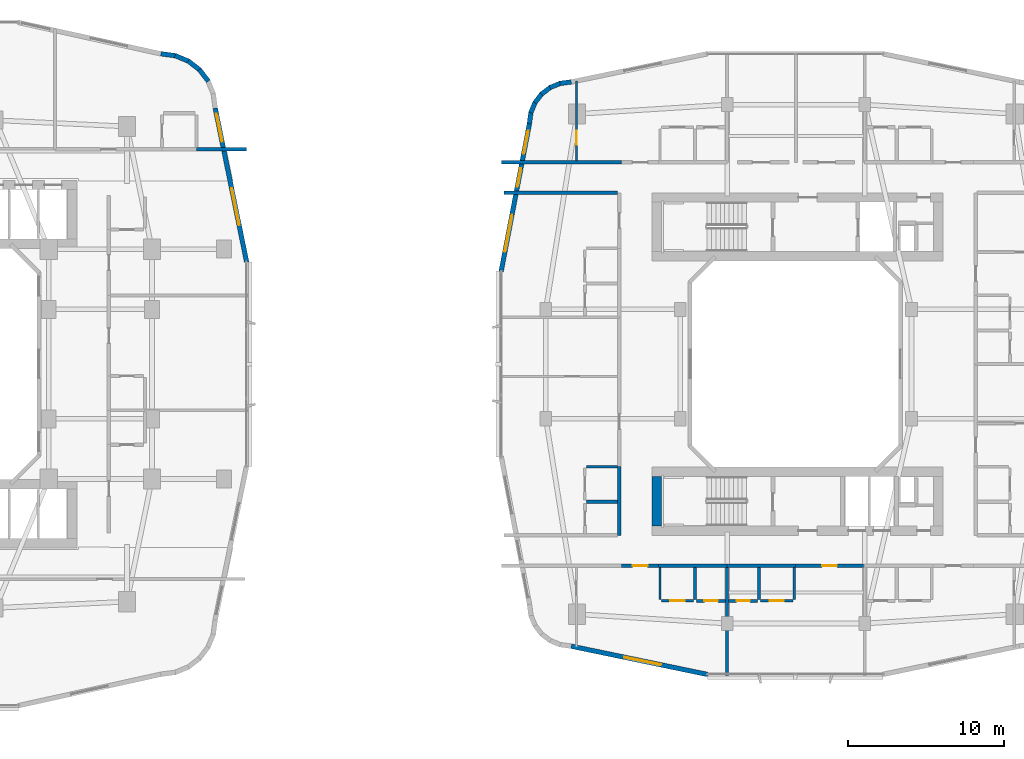
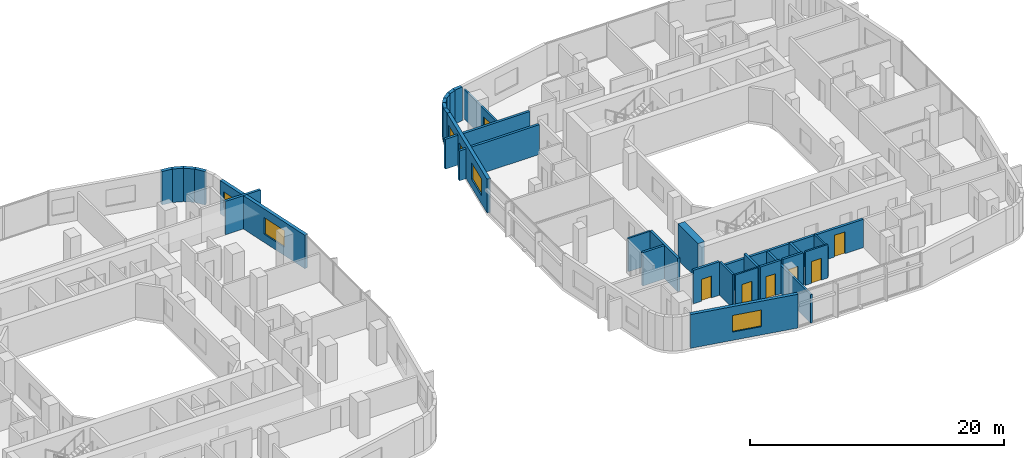
# One storey, part 17 of 26: 34 walls, 7 doors, 6 windows, 13 openings.
"""IFC4 building model written with IfcOpenShell, lengths in metres."""

import ifcopenshell
import ifcopenshell.guid

model = None  # the IFC model being written
_history = None  # IfcOwnerHistory: only IFC2X3 demands one
_inside = {}  # id of a spatial element -> (the spatial element, [elements in it])
_under = {}  # id of a project, library or spatial element -> (it, [spatial elements below it])
_declared = {}  # id of a project -> (the project, [libraries it declares])
_typed = {}  # id of a type object -> (the type object, [elements of that type])
_made_of = {}  # id of a material, layer set ... -> (it, [elements and type objects made of it])


def new_model(schema):
    """Start an empty IFC model of exactly this schema.

    Asked for "IFC4X3", IfcOpenShell would pick the latest addendum, in which some entities
    have other attributes; the version numbers below select the first issue.
    IFC2X3 requires an IfcOwnerHistory on every rooted entity: one is made here for all.
    """
    global model, _history
    if schema == "IFC4X3":
        model = ifcopenshell.file(schema_version=(4, 3, 0, 0))
    else:
        model = ifcopenshell.file(schema=schema)
    _inside.clear()
    _under.clear()
    _declared.clear()
    _typed.clear()
    _made_of.clear()
    _history = None
    if model.schema == "IFC2X3":
        org = make("IfcOrganization", Name="unknown")
        user = make(
            "IfcPersonAndOrganization",
            ThePerson=make("IfcPerson", FamilyName="unknown"),
            TheOrganization=org,
        )
        app = make(
            "IfcApplication",
            ApplicationDeveloper=org,
            Version="unknown",
            ApplicationFullName="unknown",
            ApplicationIdentifier="unknown",
        )
        _history = make(
            "IfcOwnerHistory",
            OwningUser=user,
            OwningApplication=app,
            ChangeAction="ADDED",
            CreationDate=0,
        )
    return model


def make(cls, **values):
    """One entity of the class cls with the attributes given. An attribute that is None is left unset."""
    return model.create_entity(
        cls, **{name: value for name, value in values.items() if value is not None}
    )


def rooted(cls, **values):
    """An entity with a GlobalId (a new one), such as an element, a storey or a relation."""
    return make(cls, GlobalId=ifcopenshell.guid.new(), OwnerHistory=_history, **values)


def si_unit(unit_type, name, prefix=None):
    """IfcSIUnit, for example si_unit("LENGTHUNIT", "METRE", prefix="MILLI")."""
    return make("IfcSIUnit", UnitType=unit_type, Prefix=prefix, Name=name)


def derived_unit(unit_type, elements):
    """IfcDerivedUnit: a product of units, each with its exponent."""
    return make(
        "IfcDerivedUnit",
        Elements=[
            make("IfcDerivedUnitElement", Unit=unit, Exponent=power)
            for unit, power in elements
        ],
        UnitType=unit_type,
    )


def assignment(units):
    """IfcUnitAssignment: the units of a project."""
    return None if units is None else make("IfcUnitAssignment", Units=units)


def point(xyz):
    """IfcCartesianPoint."""
    return None if xyz is None else make("IfcCartesianPoint", Coordinates=xyz)


def direction(xyz):
    """IfcDirection."""
    return None if xyz is None else make("IfcDirection", DirectionRatios=xyz)


def frame(location, z_axis=None, x_axis=None):
    """IfcAxis2Placement3D, a coordinate frame: its origin and axes. An axis left out is left unset."""
    return make(
        "IfcAxis2Placement3D",
        Location=point(location),
        Axis=direction(z_axis),
        RefDirection=direction(x_axis),
    )


def frame_2d(location, x_axis=None):
    """IfcAxis2Placement2D, a coordinate frame in the plane: its origin and x axis."""
    return make(
        "IfcAxis2Placement2D", Location=point(location), RefDirection=direction(x_axis)
    )


def origin():
    """The frame at (0, 0, 0) with its axes left unset."""
    return frame((0.0, 0.0, 0.0))


def place(relative_to, where):
    """IfcLocalPlacement: puts the frame where relative to a parent placement (None: the world)."""
    return make(
        "IfcLocalPlacement", PlacementRelTo=relative_to, RelativePlacement=where
    )


def context(
    kind, dimensions, precision=None, world=None, true_north=None, identifier=None
):
    """IfcGeometricRepresentationContext, for example the 3D "Model" context."""
    return make(
        "IfcGeometricRepresentationContext",
        ContextIdentifier=identifier,
        ContextType=kind,
        CoordinateSpaceDimension=dimensions,
        Precision=precision,
        WorldCoordinateSystem=world,
        TrueNorth=true_north,
    )


def subcontext(parent, identifier, kind, view, scale=None):
    """IfcGeometricRepresentationSubContext, for example "Body" below "Model"."""
    return make(
        "IfcGeometricRepresentationSubContext",
        ContextIdentifier=identifier,
        ContextType=kind,
        ParentContext=parent,
        TargetScale=scale,
        TargetView=view,
    )


def project(units=None, contexts=None):
    """IfcProject with its units and contexts."""
    return rooted(
        "IfcProject",
        Name="project",
        RepresentationContexts=contexts,
        UnitsInContext=assignment(units),
    )


def spatial(cls, under=None, at=None, **own):
    """A site, building, storey or space (cls), placed at a placement, below another one or the project."""
    s = rooted(cls, ObjectPlacement=at, **own)
    if under is not None:
        _under.setdefault(under.id(), (under, []))[1].append(s)
    return s


def profile(cls, at=None, kind="AREA", **sizes):
    """A parametric profile (cls). Its sizes go by their IFC names, for example OverallWidth=200.0."""
    return make(cls, ProfileType=kind, Position=at, **sizes)


def rectangle(**sizes):
    """IfcRectangleProfileDef."""
    return profile("IfcRectangleProfileDef", **sizes)


def extrude(swept, where, along, depth):
    """IfcExtrudedAreaSolid: the profile swept, set in the frame where, extruded along a direction by depth."""
    return make(
        "IfcExtrudedAreaSolid",
        SweptArea=swept,
        Position=where,
        ExtrudedDirection=direction(along),
        Depth=depth,
    )


def shape(context_of_items, identifier, shape_type, items):
    """IfcShapeRepresentation: the items that make up one representation, for example the "Body"."""
    return make(
        "IfcShapeRepresentation",
        ContextOfItems=context_of_items,
        RepresentationIdentifier=identifier,
        RepresentationType=shape_type,
        Items=items,
    )


def material(Name=None, Category=None):
    """IfcMaterial."""
    return make("IfcMaterial", Name=Name, Category=Category)


def layer(
    of_material, thickness, ventilated=None, Name=None, Category=None, Priority=None
):
    """IfcMaterialLayer: one layer of a wall or slab, of a material (None: an air gap)."""
    return make(
        "IfcMaterialLayer",
        Material=of_material,
        LayerThickness=thickness,
        IsVentilated=ventilated,
        Name=Name,
        Category=Category,
        Priority=Priority,
    )


def layer_set(layers, Name=None):
    """IfcMaterialLayerSet."""
    return make("IfcMaterialLayerSet", MaterialLayers=layers, LayerSetName=Name)


def made_of(thing, what):
    """Note that an element or type object is made of a material, layer set ...; save() writes the relation."""
    if what is not None:
        _made_of.setdefault(what.id(), (what, []))[1].append(thing)
    return thing


def type_object(cls, material=None, **own):
    """A type object (cls), such as IfcWallType, which elements share."""
    return made_of(rooted(cls, **own), material)


def element(
    cls,
    number,
    at=None,
    inside=None,
    cuts=None,
    type_object=None,
    material=None,
    context=None,
    identifier="Body",
    shape_type=None,
    held_by="IfcProductDefinitionShape",
    body=None,
    shapes=None,
    **own,
):
    """One element of the class cls, such as IfcWall. Its Tag is "e" and its number.

    at: its placement. inside: the storey or other place that contains it. cuts: it is an
    opening in that element (IfcRelVoidsElement). A single representation is given by context,
    identifier, shape_type and body (its items); several are given by shapes. held_by: the class
    of the entity that holds the representations. save() writes the other relations.
    """
    e = rooted(cls, Tag="e%d" % number, ObjectPlacement=at, **own)
    if body is not None:
        shapes = [shape(context, identifier, shape_type, body)]
    if shapes is not None:
        e.Representation = make(held_by, Representations=shapes)
    if inside is not None:
        _inside.setdefault(inside.id(), (inside, []))[1].append(e)
    if cuts is not None:
        rooted(
            "IfcRelVoidsElement", RelatingBuildingElement=cuts, RelatedOpeningElement=e
        )
    if type_object is not None:
        _typed.setdefault(type_object.id(), (type_object, []))[1].append(e)
    return made_of(e, material)


def fill(opening, filler):
    """IfcRelFillsElement: the door or window that sits in an opening."""
    return rooted(
        "IfcRelFillsElement",
        RelatingOpeningElement=opening,
        RelatedBuildingElement=filler,
    )


def aggregate(whole, parts):
    """IfcRelAggregates: a whole, such as a stair, and the parts it consists of."""
    return rooted("IfcRelAggregates", RelatingObject=whole, RelatedObjects=parts)


def save(model, path):
    """Write the relations noted so far, then the file.

    IfcRelAggregates (storeys below a building ...), IfcRelContainedInSpatialStructure (elements
    in a storey), IfcRelDefinesByType, IfcRelAssociatesMaterial and IfcRelDeclares: one each for
    every whole, place, type object, material and project.
    """
    for whole, parts in _under.values():
        aggregate(whole, parts)
    for where, things in _inside.values():
        rooted(
            "IfcRelContainedInSpatialStructure",
            RelatedElements=things,
            RelatingStructure=where,
        )
    for kind, things in _typed.values():
        rooted("IfcRelDefinesByType", RelatedObjects=things, RelatingType=kind)
    for what, things in _made_of.values():
        rooted("IfcRelAssociatesMaterial", RelatedObjects=things, RelatingMaterial=what)
    for by, libraries in _declared.values():
        rooted("IfcRelDeclares", RelatingContext=by, RelatedDefinitions=libraries)
    model.write(path)


model = new_model("IFC4")

# Units and contexts
model_context = context("Model", 3, precision=1e-05, world=origin(), true_north=direction((0.0, 1.0)))
body_context = subcontext(model_context, "Body", "Model", "MODEL_VIEW")
ifc_project = project(units=[si_unit("LENGTHUNIT", "METRE"), si_unit("AREAUNIT", "SQUARE_METRE"), si_unit("VOLUMEUNIT", "CUBIC_METRE"), si_unit("PLANEANGLEUNIT", "RADIAN"), si_unit("MASSUNIT", "GRAM", prefix="KILO"), derived_unit("THERMALTRANSMITTANCEUNIT", [(si_unit("POWERUNIT", "WATT"), 1), (si_unit("LENGTHUNIT", "METRE"), -2), (si_unit("THERMODYNAMICTEMPERATUREUNIT", "KELVIN"), -1)])], contexts=[model_context])

# Site, building, storey
site_placement = place(None, origin())
site = spatial("IfcSite", under=ifc_project, at=site_placement, CompositionType="ELEMENT")
building_placement = place(site_placement, origin())
building = spatial("IfcBuilding", under=site, at=building_placement, Name="Kivonza Crest Hotel", CompositionType="ELEMENT")
storey_placement = place(building_placement, frame((0.0, 0.0, 55.5)))
storey = spatial("IfcBuildingStorey", under=building, at=storey_placement, Name="L14", CompositionType="ELEMENT", Elevation=55.5)

# Walls
ifc_material_1 = material(Name="High-density acoustic masonry inter-tenancy wall", Category="masonry")
ifc_layer_1 = layer(ifc_material_1, 0.179931640625)
ifc_layer_set_1 = layer_set([ifc_layer_1], Name="High-density acoustic masonry inter-tenancy wall")
wall_type_1 = type_object("IfcWallType", Name="WL-ACOU-180", PredefinedType="SOLIDWALL", material=ifc_layer_set_1)
wall_1_placement = place(storey_placement, frame((72.60009765625, 5.06005859375, 0.0), z_axis=(0.0, 0.0, 1.0), x_axis=(0.0, 1.0, 0.0)))
element("IfcWall", 1, at=wall_1_placement, inside=storey, type_object=wall_type_1, Name="L14 interior partition WA-L14-T2S-DIV1", PredefinedType="SOLIDWALL", context=body_context, shape_type="SweptSolid", body=[
    extrude(rectangle(XDim=7.0400390625, YDim=0.179931640625, at=frame_2d((3.52001953125, 0.0))), origin(), (0.0, 0.0, 1.0), 2.72509765625),
])
ifc_material_2 = material(Name="Autoclaved aerated concrete blockwork", Category="masonry")
ifc_layer_2 = layer(ifc_material_2, 0.219970703125)
ifc_layer_set_2 = layer_set([ifc_layer_2], Name="Autoclaved aerated concrete blockwork")
wall_type_2 = type_object("IfcWallType", Name="WL-ACOU-220", PredefinedType="SOLIDWALL", material=ifc_layer_set_2)
wall_2_placement = place(storey_placement, frame((38.64990234375, 38.75, 0.0), z_axis=(0.0, 0.0, 1.0), x_axis=(1.0, 0.0, 0.0)))
element("IfcWall", 2, at=wall_2_placement, inside=storey, type_object=wall_type_2, Name="L14 interior partition WA-L14-N02-XCORR", PredefinedType="SOLIDWALL", context=body_context, shape_type="SweptSolid", body=[
    extrude(rectangle(XDim=3.190185546875, YDim=0.219970703125, at=frame_2d((1.59521484375, 0.0))), origin(), (0.0, 0.0, 1.0), 3.219970703125),
])
wall_3_placement = place(storey_placement, frame((58.159912109375, 37.89990234375, 0.0), z_axis=(0.0, 0.0, 1.0), x_axis=(1.0, 0.0, 0.0)))
element("IfcWall", 3, at=wall_3_placement, inside=storey, type_object=wall_type_2, Name="L14 interior partition WA-L14-A01-LCORR", PredefinedType="SOLIDWALL", context=body_context, shape_type="SweptSolid", body=[
    extrude(rectangle(XDim=7.690185546875, YDim=0.219970703125, at=frame_2d((3.84521484375, 0.0))), origin(), (0.0, 0.0, 1.0), 2.864990234375),
])
wall_4_placement = place(storey_placement, frame((68.219970703125, 12.10009765625, 0.0), z_axis=(0.0, 0.0, 1.0), x_axis=(1.0, 0.0, 0.0)))
element("IfcWall", 4, at=wall_4_placement, inside=storey, type_object=wall_type_2, Name="L14 interior partition WA-L14-A03-RCORR", PredefinedType="SOLIDWALL", context=body_context, shape_type="SweptSolid", body=[
    extrude(rectangle(XDim=4.380126953125, YDim=0.219970703125, at=frame_2d((2.18994140625, 0.0))), origin(), (0.0, 0.0, 1.0), 2.72509765625),
])

# Wall, opening, door
wall_5_placement = place(storey_placement, frame((65.85009765625, 12.10009765625, 0.0), z_axis=(0.0, 0.0, 1.0), x_axis=(1.0, 0.0, 0.0)))
wall_5 = element("IfcWall", 5, at=wall_5_placement, inside=storey, type_object=wall_type_2, Name="L14 interior partition WA-L14-A03-MCORR", PredefinedType="SOLIDWALL", context=body_context, shape_type="SweptSolid", body=[
    extrude(rectangle(XDim=2.369873046875, YDim=0.219970703125, at=frame_2d((1.18505859375, 0.0))), origin(), (0.0, 0.0, 1.0), 3.219970703125),
])
opening_1_placement = place(wall_5_placement, frame((0.7099609375, 0.0, 0.0)))
opening_1 = element("IfcOpeningElement", 6, at=opening_1_placement, cuts=wall_5, Name="Opening DU-60", PredefinedType="OPENING", context=body_context, shape_type="SweptSolid", body=[
    extrude(rectangle(XDim=0.949951171875, YDim=2.10009765625, at=frame_2d((0.47509765625, 1.050048828125))), frame((0.0, 0.1201171875, 0.0), z_axis=(0.0, -1.0, 0.0), x_axis=(1.0, 0.0, 0.0)), (0.0, 0.0, 1.0), 0.239990234375),
])
ifc_material_3 = material(Name="Hardwood timber oak", Category="wood")
door_type_1 = type_object("IfcDoorType", Name="DR-UNIT-950", OperationType="NOTDEFINED", PredefinedType="DOOR", material=ifc_material_3)
door_1_placement = place(opening_1_placement, frame((0.949951171875, 0.0, 0.0), z_axis=(0.0, 0.0, 1.0), x_axis=(-1.0, 0.0, 0.0)))
door_1 = element("IfcDoor", 7, at=door_1_placement, inside=storey, type_object=door_type_1, Name="L14 A03 apartment entrance fire door", OperationType="SINGLE_SWING_LEFT", OverallHeight=2.10009765625, OverallWidth=0.949951171875, PredefinedType="DOOR", context=body_context, shape_type="SweptSolid", body=[
    extrude(rectangle(XDim=0.949951171875, YDim=2.10009765625, at=frame_2d((0.47509765625, 1.050048828125))), frame((0.0, 0.02490234375, 0.0), z_axis=(0.0, -1.0, 0.0), x_axis=(1.0, 0.0, 0.0)), (0.0, 0.0, 1.0), 0.050048828125),
])
fill(opening_1, door_1)

# Wall
wall_6_placement = place(storey_placement, frame((72.60009765625, 12.10009765625, 0.0), z_axis=(0.0, 0.0, 1.0), x_axis=(1.0, 0.0, 0.0)))
element("IfcWall", 8, at=wall_6_placement, inside=storey, type_object=wall_type_2, Name="L14 interior partition WA-L14-A04-LCORR", PredefinedType="SOLIDWALL", context=body_context, shape_type="SweptSolid", body=[
    extrude(rectangle(XDim=4.3798828125, YDim=0.219970703125, at=frame_2d((2.18994140625, 0.0))), origin(), (0.0, 0.0, 1.0), 2.72509765625),
])

# Wall, opening, door
wall_7_placement = place(storey_placement, frame((76.97998046875, 12.10009765625, 0.0), z_axis=(0.0, 0.0, 1.0), x_axis=(1.0, 0.0, 0.0)))
wall_7 = element("IfcWall", 9, at=wall_7_placement, inside=storey, type_object=wall_type_2, Name="L14 interior partition WA-L14-A04-MCORR", PredefinedType="SOLIDWALL", context=body_context, shape_type="SweptSolid", body=[
    extrude(rectangle(XDim=4.340087890625, YDim=0.219970703125, at=frame_2d((2.169921875, 0.0))), origin(), (0.0, 0.0, 1.0), 2.72509765625),
])
opening_2_placement = place(wall_7_placement, frame((1.695068359375, 0.0, 0.0)))
opening_2 = element("IfcOpeningElement", 10, at=opening_2_placement, cuts=wall_7, Name="Opening DU-60", PredefinedType="OPENING", context=body_context, shape_type="SweptSolid", body=[
    extrude(rectangle(XDim=0.949951171875, YDim=2.10009765625, at=frame_2d((0.47509765625, 1.050048828125))), frame((0.0, 0.1201171875, 0.0), z_axis=(0.0, -1.0, 0.0), x_axis=(1.0, 0.0, 0.0)), (0.0, 0.0, 1.0), 0.239990234375),
])
door_2_placement = place(opening_2_placement, frame((0.949951171875, 0.0, 0.0), z_axis=(0.0, 0.0, 1.0), x_axis=(-1.0, 0.0, 0.0)))
door_2 = element("IfcDoor", 11, at=door_2_placement, inside=storey, type_object=door_type_1, Name="L14 A04 apartment entrance fire door", OperationType="SINGLE_SWING_RIGHT", OverallHeight=2.10009765625, OverallWidth=0.949951171875, PredefinedType="DOOR", context=body_context, shape_type="SweptSolid", body=[
    extrude(rectangle(XDim=0.949951171875, YDim=2.10009765625, at=frame_2d((0.47509765625, 1.050048828125))), frame((0.0, 0.02490234375, 0.0), z_axis=(0.0, -1.0, 0.0), x_axis=(1.0, 0.0, 0.0)), (0.0, 0.0, 1.0), 0.050048828125),
])
fill(opening_2, door_2)

# Walls
wall_8_placement = place(storey_placement, frame((58.320068359375, 35.9599609375, 0.0), z_axis=(0.0, 0.0, 1.0), x_axis=(1.0, 0.0, 0.0)))
element("IfcWall", 12, at=wall_8_placement, inside=storey, type_object=wall_type_2, Name="L14 interior partition WA-L14-T2W-ENDN", PredefinedType="SOLIDWALL", context=body_context, shape_type="SweptSolid", body=[
    extrude(rectangle(XDim=7.280029296875, YDim=0.219970703125, at=frame_2d((3.64013671875, 0.0))), origin(), (0.0, 0.0, 1.0), 2.864990234375),
])
wall_9_placement = place(storey_placement, frame((65.699951171875, 14.0400390625, 0.0), z_axis=(0.0, 0.0, 1.0), x_axis=(0.0, 1.0, 0.0)))
element("IfcWall", 13, at=wall_9_placement, inside=storey, type_object=wall_type_2, Name="L14 interior partition WA-L14-A06-BCORR", PredefinedType="SOLIDWALL", context=body_context, shape_type="SweptSolid", body=[
    extrude(rectangle(XDim=4.39990234375, YDim=0.219970703125, at=frame_2d((2.199951171875, 0.0))), origin(), (0.0, 0.0, 1.0), 3.219970703125),
])
ifc_material_4 = material(Name="Concrete C60/75", Category="concrete")
ifc_layer_3 = layer(ifc_material_4, 0.60009765625)
ifc_layer_set_3 = layer_set([ifc_layer_3], Name="Concrete C60/75")
wall_type_3 = type_object("IfcWallType", Name="WL-CORE-600", PredefinedType="SHEAR", material=ifc_layer_set_3)
wall_10_placement = place(storey_placement, frame((68.10009765625, 14.639892578125, 0.0), z_axis=(0.0, 0.0, 1.0), x_axis=(0.0, 1.0, 0.0)))
element("IfcWall", 14, at=wall_10_placement, inside=storey, type_object=wall_type_3, Name="Core wall T2-S West L14", PredefinedType="SHEAR", context=body_context, shape_type="SweptSolid", body=[
    extrude(rectangle(XDim=3.16015625, YDim=0.60009765625, at=frame_2d((1.580078125, 0.0))), origin(), (0.0, 0.0, 1.0), 3.5),
])

# Wall, openings, windows
ifc_material_5 = material(Name="Precast concrete C40/50", Category="concrete")
ifc_layer_4 = layer(ifc_material_5, 0.300048828125)
ifc_layer_set_4 = layer_set([ifc_layer_4], Name="Precast concrete C40/50")
wall_type_4 = type_object("IfcWallType", Name="WL-EXT-300", PredefinedType="STANDARD", material=ifc_layer_set_4)
wall_11_placement = place(storey_placement, frame((41.864013671875, 31.51611328125, 0.0), z_axis=(0.0, 0.0, 1.0), x_axis=(-0.199990901713, 0.979797754249, 0.0)))
wall_11 = element("IfcWall", 15, at=wall_11_placement, inside=storey, type_object=wall_type_4, Name="L14 T1 exterior insulated wall 18", PredefinedType="STANDARD", context=body_context, shape_type="SweptSolid", body=[
    extrude(rectangle(XDim=10.065185546875, YDim=0.300048828125, at=frame_2d((5.03271484375, 0.0))), origin(), (0.0, 0.0, 1.0), 3.219970703125),
])
opening_3_placement = place(wall_11_placement, frame((2.428955078125, 0.0, 0.800048828125)))
opening_3 = element("IfcOpeningElement", 16, at=opening_3_placement, cuts=wall_11, Name="Opening WN-05", PredefinedType="OPENING", context=body_context, shape_type="SweptSolid", body=[
    extrude(rectangle(XDim=2.39990234375, YDim=1.60009765625, at=frame_2d((1.199951171875, 0.800048828125))), frame((0.0, 0.16015625, 0.0), z_axis=(0.0, -1.0, 0.0), x_axis=(1.0, 0.0, 0.0)), (0.0, 0.0, 1.0), 0.320068359375),
])
opening_4_placement = place(wall_11_placement, frame((7.886962890625, 0.0, 0.85009765625)))
opening_4 = element("IfcOpeningElement", 17, at=opening_4_placement, cuts=wall_11, Name="Opening WN-03", PredefinedType="OPENING", context=body_context, shape_type="SweptSolid", body=[
    extrude(rectangle(XDim=1.800048828125, YDim=1.5, at=frame_2d((0.89990234375, 0.75))), frame((0.0, 0.16015625, 0.0), z_axis=(0.0, -1.0, 0.0), x_axis=(1.0, 0.0, 0.0)), (0.0, 0.0, 1.0), 0.320068359375),
])
ifc_material_6 = material(Name="Thermally broken bronze aluminium and low-E double glazing", Category="aluminium")
window_type_1 = type_object("IfcWindowType", Name="WN-180x150", PartitioningType="DOUBLE_PANEL_VERTICAL", PredefinedType="WINDOW", material=ifc_material_6)
window_1_placement = place(opening_4_placement, origin())
window_1 = element("IfcWindow", 18, at=window_1_placement, inside=storey, type_object=window_type_1, Name="L14 T1 facade window 18 bay 2", OverallHeight=1.5, OverallWidth=1.800048828125, PartitioningType="SINGLE_PANEL", PredefinedType="WINDOW", context=body_context, shape_type="SweptSolid", body=[
    extrude(rectangle(XDim=1.800048828125, YDim=1.5, at=frame_2d((0.89990234375, 0.75))), frame((0.0, 0.030029296875, 0.0), z_axis=(0.0, -1.0, 0.0), x_axis=(1.0, 0.0, 0.0)), (0.0, 0.0, 1.0), 0.06005859375),
])
fill(opening_4, window_1)
window_type_2 = type_object("IfcWindowType", Name="WN-240x160", PartitioningType="TRIPLE_PANEL_VERTICAL", PredefinedType="WINDOW", material=ifc_material_6)
window_2_placement = place(opening_3_placement, origin())
window_2 = element("IfcWindow", 19, at=window_2_placement, inside=storey, type_object=window_type_2, Name="L14 T1 facade window 18 bay 1", OverallHeight=1.60009765625, OverallWidth=2.39990234375, PartitioningType="SINGLE_PANEL", PredefinedType="WINDOW", context=body_context, shape_type="SweptSolid", body=[
    extrude(rectangle(XDim=2.39990234375, YDim=1.60009765625, at=frame_2d((1.199951171875, 0.800048828125))), frame((0.0, 0.030029296875, 0.0), z_axis=(0.0, -1.0, 0.0), x_axis=(1.0, 0.0, 0.0)), (0.0, 0.0, 1.0), 0.06005859375),
])
fill(opening_3, window_2)

# Walls
wall_12_placement = place(storey_placement, frame((39.4140625, 43.089111328125, 0.0), z_axis=(0.0, 0.0, 1.0), x_axis=(-0.608474481025, 0.793573440799, 0.0)))
element("IfcWall", 20, at=wall_12_placement, inside=storey, type_object=wall_type_4, Name="L14 T1 exterior insulated wall 21", PredefinedType="STANDARD", context=body_context, shape_type="SweptSolid", body=[
    extrude(rectangle(XDim=0.954833984375, YDim=0.300048828125, at=frame_2d((0.4775390625, 0.0))), origin(), (0.0, 0.0, 1.0), 3.219970703125),
])
wall_13_placement = place(storey_placement, frame((38.875, 43.81201171875, 0.0), z_axis=(0.0, 0.0, 1.0), x_axis=(-0.793668068435, 0.608351047625, 0.0)))
element("IfcWall", 21, at=wall_13_placement, inside=storey, type_object=wall_type_4, Name="L14 T1 exterior insulated wall 22", PredefinedType="STANDARD", context=body_context, shape_type="SweptSolid", body=[
    extrude(rectangle(XDim=0.955078125, YDim=0.300048828125, at=frame_2d((0.4775390625, 0.0))), origin(), (0.0, 0.0, 1.0), 3.219970703125),
])
wall_14_placement = place(storey_placement, frame((38.166015625, 44.368896484375, 0.0), z_axis=(0.0, 0.0, 1.0), x_axis=(-0.924019948111, 0.382344263057, 0.0)))
element("IfcWall", 22, at=wall_14_placement, inside=storey, type_object=wall_type_4, Name="L14 T1 exterior insulated wall 23", PredefinedType="STANDARD", context=body_context, shape_type="SweptSolid", body=[
    extrude(rectangle(XDim=0.95458984375, YDim=0.300048828125, at=frame_2d((0.477294921875, 0.0))), origin(), (0.0, 0.0, 1.0), 3.219970703125),
])
wall_15_placement = place(storey_placement, frame((37.3369140625, 44.72509765625, 0.0), z_axis=(0.0, 0.0, 1.0), x_axis=(-0.991454295543, 0.130454512571, 0.0)))
element("IfcWall", 23, at=wall_15_placement, inside=storey, type_object=wall_type_4, Name="L14 T1 exterior insulated wall 24", PredefinedType="STANDARD", context=body_context, shape_type="SweptSolid", body=[
    extrude(rectangle(XDim=0.97314453125, YDim=0.300048828125, at=frame_2d((0.486572265625, 0.0))), origin(), (0.0, 0.0, 1.0), 3.219970703125),
])

# Wall, opening, window
wall_16_placement = place(storey_placement, frame((62.6220703125, 6.948974609375, 0.0), z_axis=(0.0, 0.0, 1.0), x_axis=(0.979127260729, -0.203248142175, 0.0)))
wall_16 = element("IfcWall", 24, at=wall_16_placement, inside=storey, type_object=wall_type_4, Name="L14 T2 exterior insulated wall 7", PredefinedType="STANDARD", context=body_context, shape_type="SweptSolid", body=[
    extrude(rectangle(XDim=8.920166015625, YDim=0.300048828125, at=frame_2d((4.4599609375, 0.0))), origin(), (0.0, 0.0, 1.0), 3.25),
])
opening_5_placement = place(wall_16_placement, frame((3.471923828125, 0.0, 0.800048828125)))
opening_5 = element("IfcOpeningElement", 25, at=opening_5_placement, cuts=wall_16, Name="Opening WN-05", PredefinedType="OPENING", context=body_context, shape_type="SweptSolid", body=[
    extrude(rectangle(XDim=2.39990234375, YDim=1.60009765625, at=frame_2d((1.199951171875, 0.800048828125))), frame((0.0, 0.16015625, 0.0), z_axis=(0.0, -1.0, 0.0), x_axis=(1.0, 0.0, 0.0)), (0.0, 0.0, 1.0), 0.320068359375),
])
window_3_placement = place(opening_5_placement, origin())
window_3 = element("IfcWindow", 26, at=window_3_placement, inside=storey, type_object=window_type_2, Name="L14 T2 facade window 7", OverallHeight=1.60009765625, OverallWidth=2.39990234375, PartitioningType="SINGLE_PANEL", PredefinedType="WINDOW", context=body_context, shape_type="SweptSolid", body=[
    extrude(rectangle(XDim=2.39990234375, YDim=1.60009765625, at=frame_2d((1.199951171875, 0.800048828125))), frame((0.0, 0.030029296875, 0.0), z_axis=(0.0, -1.0, 0.0), x_axis=(1.0, 0.0, 0.0)), (0.0, 0.0, 1.0), 0.06005859375),
])
fill(opening_5, window_3)

# Walls
wall_17_placement = place(storey_placement, frame((62.626953125, 43.052001953125, 0.0), z_axis=(0.0, 0.0, 1.0), x_axis=(-0.991480488834, -0.130255288807, 0.0)))
element("IfcWall", 27, at=wall_17_placement, inside=storey, type_object=wall_type_4, Name="L14 T2 exterior insulated wall 28", PredefinedType="STANDARD", context=body_context, shape_type="SweptSolid", body=[
    extrude(rectangle(XDim=0.72900390625, YDim=0.300048828125, at=frame_2d((0.364501953125, 0.0))), origin(), (0.0, 0.0, 1.0), 3.25),
])
for number, where, z_axis, x_axis, name in (
    (28, (61.955078125, 42.97607421875, 0.0), (0.0, 0.0, 1.0), (-0.923521684703, -0.383546213491, 0.0), "L14 T2 exterior insulated wall 29"),
    (29, (61.31103515625, 42.720947265625, 0.0), (0.0, 0.0, 1.0), (-0.79363269798, -0.608397189915, 0.0), "L14 T2 exterior insulated wall 30"),
    (30, (60.75390625, 42.30908203125, 0.0), (0.0, 0.0, 1.0), (-0.608397189915, -0.79363269798, 0.0), "L14 T2 exterior insulated wall 31"),
    (31, (60.323974609375, 41.76611328125, 0.0), (0.0, 0.0, 1.0), (-0.383151213466, -0.923685632463, 0.0), "L14 T2 exterior insulated wall 32"),
):
    element("IfcWall", number, at=place(storey_placement, frame(where, z_axis=z_axis, x_axis=x_axis)), inside=storey, type_object=wall_type_4, Name=name, PredefinedType="STANDARD", context=body_context, shape_type="SweptSolid", body=[
        extrude(rectangle(XDim=0.74609375, YDim=0.300048828125, at=frame_2d((0.373046875, 0.0))), origin(), (0.0, 0.0, 1.0), 3.25),
    ])
wall_18_placement = place(storey_placement, frame((60.047119140625, 41.131103515625, 0.0), z_axis=(0.0, 0.0, 1.0), x_axis=(-0.129653178221, -0.991559404866, 0.0)))
element("IfcWall", 32, at=wall_18_placement, inside=storey, type_object=wall_type_4, Name="L14 T2 exterior insulated wall 33", PredefinedType="STANDARD", context=body_context, shape_type="SweptSolid", body=[
    extrude(rectangle(XDim=0.764404296875, YDim=0.300048828125, at=frame_2d((0.38232421875, 0.0))), origin(), (0.0, 0.0, 1.0), 3.25),
])

# Wall, openings, windows
wall_19_placement = place(storey_placement, frame((59.948974609375, 40.3798828125, 0.0), z_axis=(0.0, 0.0, 1.0), x_axis=(-0.188087874316, -0.982152203854, 0.0)))
wall_19 = element("IfcWall", 33, at=wall_19_placement, inside=storey, type_object=wall_type_4, Name="L14 T2 exterior insulated wall 34", PredefinedType="STANDARD", context=body_context, shape_type="SweptSolid", body=[
    extrude(rectangle(XDim=9.6337890625, YDim=0.300048828125, at=frame_2d((4.81689453125, 0.0))), origin(), (0.0, 0.0, 1.0), 3.25),
])
opening_6_placement = place(wall_19_placement, frame((0.451904296875, 0.0, 0.85009765625)))
opening_6 = element("IfcOpeningElement", 34, at=opening_6_placement, cuts=wall_19, Name="Opening WN-02", PredefinedType="OPENING", context=body_context, shape_type="SweptSolid", body=[
    extrude(rectangle(XDim=1.5, YDim=1.5, at=frame_2d((0.75, 0.75))), frame((0.0, 0.16015625, 0.0), z_axis=(0.0, -1.0, 0.0), x_axis=(1.0, 0.0, 0.0)), (0.0, 0.0, 1.0), 0.320068359375),
])
opening_7_placement = place(wall_19_placement, frame((2.9130859375, 0.0, 0.85009765625)))
opening_7 = element("IfcOpeningElement", 35, at=opening_7_placement, cuts=wall_19, Name="Opening WN-01", PredefinedType="OPENING", context=body_context, shape_type="SweptSolid", body=[
    extrude(rectangle(XDim=1.199951171875, YDim=1.5, at=frame_2d((0.60009765625, 0.75))), frame((0.0, 0.16015625, 0.0), z_axis=(0.0, -1.0, 0.0), x_axis=(1.0, 0.0, 0.0)), (0.0, 0.0, 1.0), 0.320068359375),
])
opening_8_placement = place(wall_19_placement, frame((5.927978515625, 0.0, 0.800048828125)))
opening_8 = element("IfcOpeningElement", 36, at=opening_8_placement, cuts=wall_19, Name="Opening WN-05", PredefinedType="OPENING", context=body_context, shape_type="SweptSolid", body=[
    extrude(rectangle(XDim=2.39990234375, YDim=1.60009765625, at=frame_2d((1.199951171875, 0.800048828125))), frame((0.0, 0.16015625, 0.0), z_axis=(0.0, -1.0, 0.0), x_axis=(1.0, 0.0, 0.0)), (0.0, 0.0, 1.0), 0.320068359375),
])
window_type_3 = type_object("IfcWindowType", Name="WN-120x150", PartitioningType="SINGLE_PANEL", PredefinedType="WINDOW", material=ifc_material_6)
window_4_placement = place(opening_7_placement, origin())
window_4 = element("IfcWindow", 37, at=window_4_placement, inside=storey, type_object=window_type_3, Name="L14 T2 facade window 34 bay 2", OverallHeight=1.5, OverallWidth=1.199951171875, PartitioningType="SINGLE_PANEL", PredefinedType="WINDOW", context=body_context, shape_type="SweptSolid", body=[
    extrude(rectangle(XDim=1.199951171875, YDim=1.5, at=frame_2d((0.60009765625, 0.75))), frame((0.0, 0.030029296875, 0.0), z_axis=(0.0, -1.0, 0.0), x_axis=(1.0, 0.0, 0.0)), (0.0, 0.0, 1.0), 0.06005859375),
])
fill(opening_7, window_4)
window_type_4 = type_object("IfcWindowType", Name="WN-150x150", PartitioningType="DOUBLE_PANEL_VERTICAL", PredefinedType="WINDOW", material=ifc_material_6)
window_5_placement = place(opening_6_placement, origin())
window_5 = element("IfcWindow", 38, at=window_5_placement, inside=storey, type_object=window_type_4, Name="L14 T2 facade window 34 bay 1", OverallHeight=1.5, OverallWidth=1.5, PartitioningType="SINGLE_PANEL", PredefinedType="WINDOW", context=body_context, shape_type="SweptSolid", body=[
    extrude(rectangle(XDim=1.5, YDim=1.5, at=frame_2d((0.75, 0.75))), frame((0.0, 0.030029296875, 0.0), z_axis=(0.0, -1.0, 0.0), x_axis=(1.0, 0.0, 0.0)), (0.0, 0.0, 1.0), 0.06005859375),
])
fill(opening_6, window_5)
window_6_placement = place(opening_8_placement, origin())
window_6 = element("IfcWindow", 39, at=window_6_placement, inside=storey, type_object=window_type_2, Name="L14 T2 facade window 34 bay 3", OverallHeight=1.60009765625, OverallWidth=2.39990234375, PartitioningType="SINGLE_PANEL", PredefinedType="WINDOW", context=body_context, shape_type="SweptSolid", body=[
    extrude(rectangle(XDim=2.39990234375, YDim=1.60009765625, at=frame_2d((1.199951171875, 0.800048828125))), frame((0.0, 0.030029296875, 0.0), z_axis=(0.0, -1.0, 0.0), x_axis=(1.0, 0.0, 0.0)), (0.0, 0.0, 1.0), 0.06005859375),
])
fill(opening_8, window_6)

# Wall, opening, door
ifc_material_7 = material(Name="Twin-stud acoustic gypsum board partition", Category="gypsum")
ifc_layer_5 = layer(ifc_material_7, 0.14990234375)
ifc_layer_set_5 = layer_set([ifc_layer_5], Name="Twin-stud acoustic gypsum board partition")
wall_type_5 = type_object("IfcWallType", Name="WL-PART-150", PredefinedType="PARTITIONING", material=ifc_layer_set_5)
wall_20_placement = place(storey_placement, frame((62.9599609375, 38.0, 0.0), z_axis=(0.0, 0.0, 1.0), x_axis=(0.0, 1.0, 0.0)))
wall_20 = element("IfcWall", 40, at=wall_20_placement, inside=storey, type_object=wall_type_5, Name="L14 interior partition WP-L14-A01-BDW1", PredefinedType="PARTITIONING", context=body_context, shape_type="SweptSolid", body=[
    extrude(rectangle(XDim=5.113037109375, YDim=0.14990234375, at=frame_2d((2.556640625, 0.0))), origin(), (0.0, 0.0, 1.0), 2.864990234375),
])
opening_9_placement = place(wall_20_placement, frame((1.030029296875, 0.0, 0.0)))
opening_9 = element("IfcOpeningElement", 41, at=opening_9_placement, cuts=wall_20, Name="Opening DI-90", PredefinedType="OPENING", context=body_context, shape_type="SweptSolid", body=[
    extrude(rectangle(XDim=0.89990234375, YDim=2.10009765625, at=frame_2d((0.449951171875, 1.050048828125))), frame((0.0, 0.0849609375, 0.0), z_axis=(0.0, -1.0, 0.0), x_axis=(1.0, 0.0, 0.0)), (0.0, 0.0, 1.0), 0.169921875),
])
door_type_2 = type_object("IfcDoorType", Name="DR-INT-900", OperationType="NOTDEFINED", PredefinedType="DOOR", material=ifc_material_3)
door_3_placement = place(opening_9_placement, origin())
door_3 = element("IfcDoor", 42, at=door_3_placement, inside=storey, type_object=door_type_2, Name="L14 A01 bedroom 1 door", OperationType="SINGLE_SWING_RIGHT", OverallHeight=2.10009765625, OverallWidth=0.89990234375, PredefinedType="DOOR", context=body_context, shape_type="SweptSolid", body=[
    extrude(rectangle(XDim=0.89990234375, YDim=2.10009765625, at=frame_2d((0.449951171875, 1.050048828125))), frame((0.0, 0.02490234375, 0.0), z_axis=(0.0, -1.0, 0.0), x_axis=(1.0, 0.0, 0.0)), (0.0, 0.0, 1.0), 0.050048828125),
])
fill(opening_9, door_3)

# Wall
wall_21_placement = place(storey_placement, frame((68.300048828125, 9.949951171875, 0.0), z_axis=(0.0, 0.0, 1.0), x_axis=(0.0, 1.0, 0.0)))
element("IfcWall", 43, at=wall_21_placement, inside=storey, type_object=wall_type_5, Name="L14 interior partition WP-L14-A03-KF", PredefinedType="PARTITIONING", context=body_context, shape_type="SweptSolid", body=[
    extrude(rectangle(XDim=2.050048828125, YDim=0.14990234375, at=frame_2d((1.02490234375, 0.0))), origin(), (0.0, 0.0, 1.0), 3.219970703125),
])

# Wall, opening, door
wall_22_placement = place(storey_placement, frame((68.39990234375, 9.85009765625, 0.0), z_axis=(0.0, 0.0, 1.0), x_axis=(1.0, 0.0, 0.0)))
wall_22 = element("IfcWall", 44, at=wall_22_placement, inside=storey, type_object=wall_type_5, Name="L14 interior partition WP-L14-A03-KSVC", PredefinedType="PARTITIONING", context=body_context, shape_type="SweptSolid", body=[
    extrude(rectangle(XDim=2.050048828125, YDim=0.14990234375, at=frame_2d((1.02490234375, 0.0))), origin(), (0.0, 0.0, 1.0), 3.219970703125),
])
opening_10_placement = place(wall_22_placement, frame((0.574951171875, 0.0, 0.0)))
opening_10 = element("IfcOpeningElement", 45, at=opening_10_placement, cuts=wall_22, Name="Opening DI-90", PredefinedType="OPENING", context=body_context, shape_type="SweptSolid", body=[
    extrude(rectangle(XDim=0.89990234375, YDim=2.10009765625, at=frame_2d((0.449951171875, 1.050048828125))), frame((0.0, 0.0849609375, 0.0), z_axis=(0.0, -1.0, 0.0), x_axis=(1.0, 0.0, 0.0)), (0.0, 0.0, 1.0), 0.169921875),
])
door_4_placement = place(opening_10_placement, frame((0.89990234375, 0.0, 0.0), z_axis=(0.0, 0.0, 1.0), x_axis=(-1.0, 0.0, 0.0)))
door_4 = element("IfcDoor", 46, at=door_4_placement, inside=storey, type_object=door_type_2, Name="L14 A03 apartment kitchen door", OperationType="SINGLE_SWING_LEFT", OverallHeight=2.10009765625, OverallWidth=0.89990234375, PredefinedType="DOOR", context=body_context, shape_type="SweptSolid", body=[
    extrude(rectangle(XDim=0.89990234375, YDim=2.10009765625, at=frame_2d((0.449951171875, 1.050048828125))), frame((0.0, 0.02490234375, 0.0), z_axis=(0.0, -1.0, 0.0), x_axis=(1.0, 0.0, 0.0)), (0.0, 0.0, 1.0), 0.050048828125),
])
fill(opening_10, door_4)

# Wall
wall_23_placement = place(storey_placement, frame((76.89990234375, 9.949951171875, 0.0), z_axis=(0.0, 0.0, 1.0), x_axis=(0.0, 1.0, 0.0)))
element("IfcWall", 47, at=wall_23_placement, inside=storey, type_object=wall_type_5, Name="L14 interior partition WP-L14-A04-KF", PredefinedType="PARTITIONING", context=body_context, shape_type="SweptSolid", body=[
    extrude(rectangle(XDim=2.050048828125, YDim=0.14990234375, at=frame_2d((1.02490234375, 0.0))), origin(), (0.0, 0.0, 1.0), 2.824951171875),
])

# Wall, opening, door
wall_24_placement = place(storey_placement, frame((74.75, 9.85009765625, 0.0), z_axis=(0.0, 0.0, 1.0), x_axis=(1.0, 0.0, 0.0)))
wall_24 = element("IfcWall", 48, at=wall_24_placement, inside=storey, type_object=wall_type_5, Name="L14 interior partition WP-L14-A04-KSVC", PredefinedType="PARTITIONING", context=body_context, shape_type="SweptSolid", body=[
    extrude(rectangle(XDim=2.050048828125, YDim=0.14990234375, at=frame_2d((1.02490234375, 0.0))), origin(), (0.0, 0.0, 1.0), 3.219970703125),
])
opening_11_placement = place(wall_24_placement, frame((0.574951171875, 0.0, 0.0)))
opening_11 = element("IfcOpeningElement", 49, at=opening_11_placement, cuts=wall_24, Name="Opening DI-90", PredefinedType="OPENING", context=body_context, shape_type="SweptSolid", body=[
    extrude(rectangle(XDim=0.89990234375, YDim=2.10009765625, at=frame_2d((0.449951171875, 1.050048828125))), frame((0.0, 0.0849609375, 0.0), z_axis=(0.0, -1.0, 0.0), x_axis=(1.0, 0.0, 0.0)), (0.0, 0.0, 1.0), 0.169921875),
])
door_5_placement = place(opening_11_placement, frame((0.89990234375, 0.0, 0.0), z_axis=(0.0, 0.0, 1.0), x_axis=(-1.0, 0.0, 0.0)))
door_5 = element("IfcDoor", 50, at=door_5_placement, inside=storey, type_object=door_type_2, Name="L14 A04 apartment kitchen door", OperationType="SINGLE_SWING_RIGHT", OverallHeight=2.10009765625, OverallWidth=0.89990234375, PredefinedType="DOOR", context=body_context, shape_type="SweptSolid", body=[
    extrude(rectangle(XDim=0.89990234375, YDim=2.10009765625, at=frame_2d((0.449951171875, 1.050048828125))), frame((0.0, 0.02490234375, 0.0), z_axis=(0.0, -1.0, 0.0), x_axis=(1.0, 0.0, 0.0)), (0.0, 0.0, 1.0), 0.050048828125),
])
fill(opening_11, door_5)

# Walls
wall_25_placement = place(storey_placement, frame((63.60009765625, 18.43994140625, 0.0), z_axis=(0.0, 0.0, 1.0), x_axis=(1.0, 0.0, 0.0)))
element("IfcWall", 51, at=wall_25_placement, inside=storey, type_object=wall_type_5, Name="L14 interior partition WP-L14-A06-KF", PredefinedType="PARTITIONING", context=body_context, shape_type="SweptSolid", body=[
    extrude(rectangle(XDim=2.0, YDim=0.14990234375, at=frame_2d((1.0, 0.0))), origin(), (0.0, 0.0, 1.0), 3.219970703125),
])
ifc_material_8 = material(Name="Moisture-resistant plumbing chase partition wall", Category="gypsum")
ifc_layer_6 = layer(ifc_material_8, 0.199951171875)
ifc_layer_set_6 = layer_set([ifc_layer_6], Name="Moisture-resistant plumbing chase partition wall")
wall_type_6 = type_object("IfcWallType", Name="WL-PLUMB-200", PredefinedType="PLUMBINGWALL", material=ifc_layer_set_6)
wall_26_placement = place(storey_placement, frame((70.550048828125, 9.949951171875, 0.0), z_axis=(0.0, 0.0, 1.0), x_axis=(0.0, 1.0, 0.0)))
element("IfcWall", 52, at=wall_26_placement, inside=storey, type_object=wall_type_6, Name="L14 interior partition WW-L14-A03-BK", PredefinedType="PLUMBINGWALL", context=body_context, shape_type="SweptSolid", body=[
    extrude(rectangle(XDim=2.050048828125, YDim=0.199951171875, at=frame_2d((1.02490234375, 0.0))), origin(), (0.0, 0.0, 1.0), 3.219970703125),
])

# Wall, opening, door
wall_27_placement = place(storey_placement, frame((70.64990234375, 9.85009765625, 0.0), z_axis=(0.0, 0.0, 1.0), x_axis=(1.0, 0.0, 0.0)))
wall_27 = element("IfcWall", 53, at=wall_27_placement, inside=storey, type_object=wall_type_6, Name="L14 interior partition WW-L14-A03-BSVC", PredefinedType="PLUMBINGWALL", context=body_context, shape_type="SweptSolid", body=[
    extrude(rectangle(XDim=1.85009765625, YDim=0.199951171875, at=frame_2d((0.925048828125, 0.0))), origin(), (0.0, 0.0, 1.0), 3.219970703125),
])
opening_12_placement = place(wall_27_placement, frame((0.5, 0.0, 0.0)))
opening_12 = element("IfcOpeningElement", 54, at=opening_12_placement, cuts=wall_27, Name="Opening DI-85", PredefinedType="OPENING", context=body_context, shape_type="SweptSolid", body=[
    extrude(rectangle(XDim=0.85009765625, YDim=2.10009765625, at=frame_2d((0.425048828125, 1.050048828125))), frame((0.0, 0.10986328125, 0.0), z_axis=(0.0, -1.0, 0.0), x_axis=(1.0, 0.0, 0.0)), (0.0, 0.0, 1.0), 0.219970703125),
])
door_type_3 = type_object("IfcDoorType", Name="DR-INT-850", OperationType="NOTDEFINED", PredefinedType="DOOR", material=ifc_material_3)
door_6_placement = place(opening_12_placement, frame((0.85009765625, 0.0, 0.0), z_axis=(0.0, 0.0, 1.0), x_axis=(-1.0, 0.0, 0.0)))
door_6 = element("IfcDoor", 55, at=door_6_placement, inside=storey, type_object=door_type_3, Name="L14 A03 apartment bathroom door", OperationType="SINGLE_SWING_RIGHT", OverallHeight=2.10009765625, OverallWidth=0.85009765625, PredefinedType="DOOR", context=body_context, shape_type="SweptSolid", body=[
    extrude(rectangle(XDim=0.85009765625, YDim=2.10009765625, at=frame_2d((0.425048828125, 1.050048828125))), frame((0.0, 0.02490234375, 0.0), z_axis=(0.0, -1.0, 0.0), x_axis=(1.0, 0.0, 0.0)), (0.0, 0.0, 1.0), 0.050048828125),
])
fill(opening_12, door_6)

# Wall
wall_28_placement = place(storey_placement, frame((74.64990234375, 9.949951171875, 0.0), z_axis=(0.0, 0.0, 1.0), x_axis=(0.0, 1.0, 0.0)))
element("IfcWall", 56, at=wall_28_placement, inside=storey, type_object=wall_type_6, Name="L14 interior partition WW-L14-A04-BK", PredefinedType="PLUMBINGWALL", context=body_context, shape_type="SweptSolid", body=[
    extrude(rectangle(XDim=2.050048828125, YDim=0.199951171875, at=frame_2d((1.02490234375, 0.0))), origin(), (0.0, 0.0, 1.0), 2.824951171875),
])

# Wall, opening, door
wall_29_placement = place(storey_placement, frame((72.699951171875, 9.85009765625, 0.0), z_axis=(0.0, 0.0, 1.0), x_axis=(1.0, 0.0, 0.0)))
wall_29 = element("IfcWall", 57, at=wall_29_placement, inside=storey, type_object=wall_type_6, Name="L14 interior partition WW-L14-A04-BSVC", PredefinedType="PLUMBINGWALL", context=body_context, shape_type="SweptSolid", body=[
    extrude(rectangle(XDim=1.85009765625, YDim=0.199951171875, at=frame_2d((0.925048828125, 0.0))), origin(), (0.0, 0.0, 1.0), 3.219970703125),
])
opening_13_placement = place(wall_29_placement, frame((0.5, 0.0, 0.0)))
opening_13 = element("IfcOpeningElement", 58, at=opening_13_placement, cuts=wall_29, Name="Opening DI-85", PredefinedType="OPENING", context=body_context, shape_type="SweptSolid", body=[
    extrude(rectangle(XDim=0.85009765625, YDim=2.10009765625, at=frame_2d((0.425048828125, 1.050048828125))), frame((0.0, 0.10986328125, 0.0), z_axis=(0.0, -1.0, 0.0), x_axis=(1.0, 0.0, 0.0)), (0.0, 0.0, 1.0), 0.219970703125),
])
door_7_placement = place(opening_13_placement, frame((0.85009765625, 0.0, 0.0), z_axis=(0.0, 0.0, 1.0), x_axis=(-1.0, 0.0, 0.0)))
door_7 = element("IfcDoor", 59, at=door_7_placement, inside=storey, type_object=door_type_3, Name="L14 A04 apartment bathroom door", OperationType="SINGLE_SWING_LEFT", OverallHeight=2.10009765625, OverallWidth=0.85009765625, PredefinedType="DOOR", context=body_context, shape_type="SweptSolid", body=[
    extrude(rectangle(XDim=0.85009765625, YDim=2.10009765625, at=frame_2d((0.425048828125, 1.050048828125))), frame((0.0, 0.02490234375, 0.0), z_axis=(0.0, -1.0, 0.0), x_axis=(1.0, 0.0, 0.0)), (0.0, 0.0, 1.0), 0.050048828125),
])
fill(opening_13, door_7)

# Wall
wall_30_placement = place(storey_placement, frame((63.60009765625, 16.18994140625, 0.0), z_axis=(0.0, 0.0, 1.0), x_axis=(1.0, 0.0, 0.0)))
element("IfcWall", 60, at=wall_30_placement, inside=storey, type_object=wall_type_6, Name="L14 interior partition WW-L14-A06-BK", PredefinedType="PLUMBINGWALL", context=body_context, shape_type="SweptSolid", body=[
    extrude(rectangle(XDim=2.0, YDim=0.199951171875, at=frame_2d((1.0, 0.0))), origin(), (0.0, 0.0, 1.0), 3.219970703125),
])

save(model, "model.ifc")
